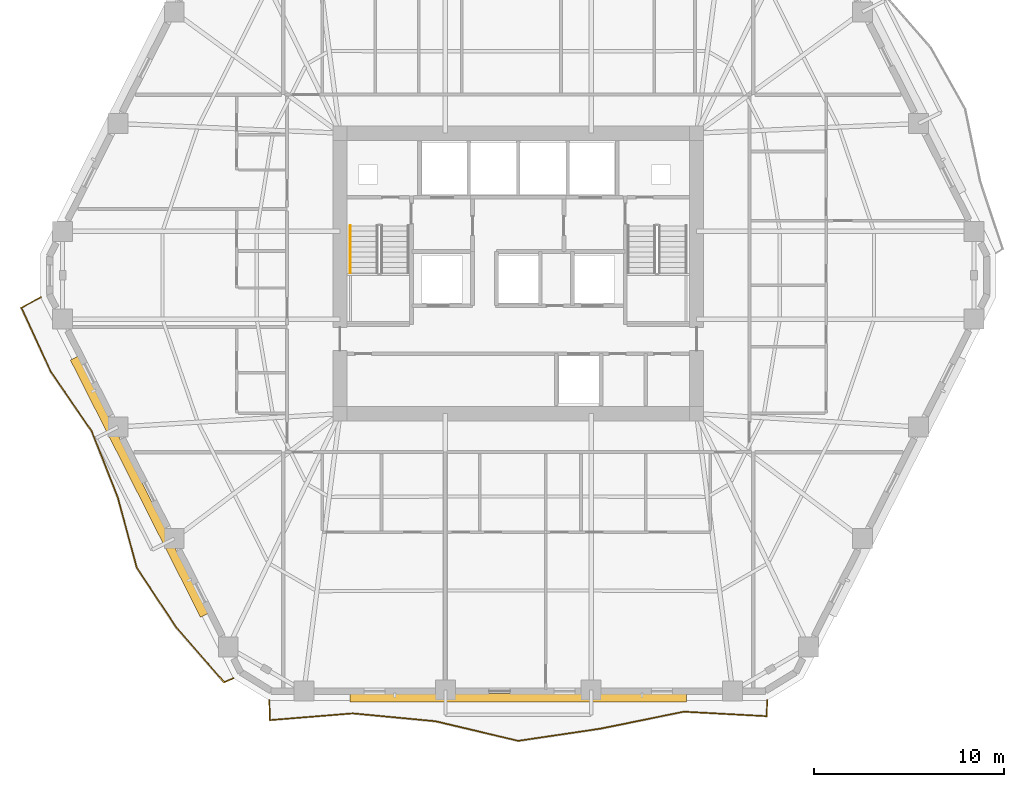
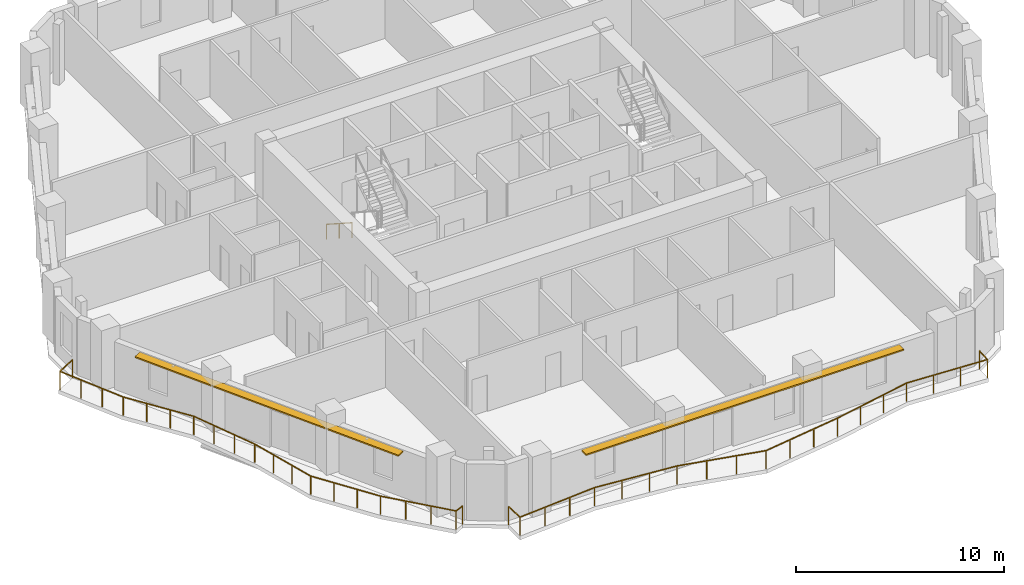
# One storey, part 10 of 12: 3 railings, 2 shading devices.
"""IFC4 building model written with IfcOpenShell, lengths in metres."""

from ifc_helpers import new_model, si_unit, direction, frame, origin, origin_2d, place, context, subcontext, project, spatial, rectangle, extrude, material, layer, layer_set, type_object, element, save


model = new_model("IFC4")

# Units and contexts
model_context = context("Model", 3, precision=1e-05, world=origin(), true_north=direction((0.0, 1.0)))
body_context = subcontext(model_context, "Body", "Model", "MODEL_VIEW")
ifc_project = project(units=[si_unit("LENGTHUNIT", "METRE"), si_unit("AREAUNIT", "SQUARE_METRE"), si_unit("VOLUMEUNIT", "CUBIC_METRE"), si_unit("PLANEANGLEUNIT", "RADIAN"), si_unit("MASSUNIT", "GRAM", prefix="KILO")], contexts=[model_context])

# Site, building, storey
site_placement = place(None, origin())
site = spatial("IfcSite", under=ifc_project, at=site_placement, CompositionType="ELEMENT")
building_placement = place(site_placement, origin())
building = spatial("IfcBuilding", under=site, at=building_placement, Name="Cinnabar Lancet Tower", CompositionType="ELEMENT")
storey_placement = place(building_placement, frame((0.0, 0.0, 112.60009765625)))
storey = spatial("IfcBuildingStorey", under=building, at=storey_placement, Name="L29", CompositionType="ELEMENT", Elevation=112.60009765625)

# Railings
ifc_material_1 = material(Name="Laminated safety glass and bronze stainless steel balustrade", Category="steel")
railing_type_1 = type_object("IfcRailingType", Name="ENV-RLG-BAL-1100", PredefinedType="BALUSTRADE", material=ifc_material_1)
railing_1_placement = place(storey_placement, frame((19.30810546875, 3.449951171875, 0.0)))
element("IfcRailing", 1, at=railing_1_placement, inside=storey, type_object=railing_type_1, Name="L29 Face 1 Wave Balcony Balustrade", PredefinedType="BALUSTRADE", context=body_context, shape_type="SweptSolid", body=[
    extrude(rectangle(XDim=0.048095703125, YDim=0.048095703125, at=origin_2d()), frame((0.0, 0.0, 1.076171875), z_axis=(0.032642369907, -0.99946709585, 0.0), x_axis=(0.99946709585, 0.032642369907, 0.0)), (0.0, 0.0, 1.0), 1.03955078125),
    extrude(rectangle(XDim=0.048095703125, YDim=0.048095703125, at=origin_2d()), frame((0.033935546875, -1.0390625, 1.076171875), z_axis=(0.996689884477, 0.081297442646, 0.0), x_axis=(-0.081297442646, 0.996689884477, 0.0)), (0.0, 0.0, 1.0), 4.369384765625),
    extrude(rectangle(XDim=0.048095703125, YDim=0.048095703125, at=origin_2d()), frame((4.388916015625, -0.683837890625, 1.076171875), z_axis=(0.995525541996, -0.094492831654, 0.0), x_axis=(0.094492831654, 0.995525541996, 0.0)), (0.0, 0.0, 1.0), 4.37158203125),
    extrude(rectangle(XDim=0.048095703125, YDim=0.048095703125, at=origin_2d()), frame((8.740966796875, -1.096923828125, 1.076171875), z_axis=(0.973150819133, -0.23016838015, 0.0), x_axis=(0.23016838015, 0.973150819133, 0.0)), (0.0, 0.0, 1.0), 4.470947265625),
    extrude(rectangle(XDim=0.048095703125, YDim=0.048095703125, at=origin_2d()), frame((13.091796875, -2.1259765625, 1.076171875), z_axis=(0.989189749691, 0.146641191712, 0.0), x_axis=(-0.146641191712, 0.989189749691, 0.0)), (0.0, 0.0, 1.0), 4.398681640625),
    extrude(rectangle(XDim=0.048095703125, YDim=0.048095703125, at=origin_2d()), frame((17.44287109375, -1.48095703125, 1.076171875), z_axis=(0.979857431249, 0.199698308523, 0.0), x_axis=(-0.199698308523, 0.979857431249, 0.0)), (0.0, 0.0, 1.0), 4.44140625),
    extrude(rectangle(XDim=0.048095703125, YDim=0.048095703125, at=origin_2d()), frame((21.794921875, -0.593994140625, 1.076171875), z_axis=(0.998509557811, -0.054577128538, 0.0), x_axis=(0.054577128538, 0.998509557811, 0.0)), (0.0, 0.0, 1.0), 4.361572265625),
    extrude(rectangle(XDim=0.048095703125, YDim=0.048095703125, at=origin_2d()), frame((26.14990234375, -0.83203125, 1.076171875), z_axis=(0.040752502573, 0.999169271712, 0.0), x_axis=(-0.999169271712, 0.040752502573, 0.0)), (0.0, 0.0, 1.0), 0.832763671875),
    extrude(rectangle(XDim=0.0419921875, YDim=0.0419921875, at=origin_2d()), origin(), (0.0, 0.0, 1.0), 1.052001953125),
    extrude(rectangle(XDim=0.0419921875, YDim=0.0419921875, at=origin_2d()), frame((0.033935546875, -1.0390625, 0.0)), (0.0, 0.0, 1.0), 1.052001953125),
    extrude(rectangle(XDim=0.0419921875, YDim=0.0419921875, at=origin_2d()), frame((1.485595703125, -0.920654296875, 0.0)), (0.0, 0.0, 1.0), 1.052001953125),
    extrude(rectangle(XDim=0.0419921875, YDim=0.0419921875, at=origin_2d()), frame((2.937255859375, -0.80224609375, 0.0)), (0.0, 0.0, 1.0), 1.052001953125),
    extrude(rectangle(XDim=0.0419921875, YDim=0.0419921875, at=origin_2d()), frame((4.388916015625, -0.683837890625, 0.0)), (0.0, 0.0, 1.0), 1.052001953125),
    extrude(rectangle(XDim=0.0419921875, YDim=0.0419921875, at=origin_2d()), frame((5.839599609375, -0.821533203125, 0.0)), (0.0, 0.0, 1.0), 1.052001953125),
    extrude(rectangle(XDim=0.0419921875, YDim=0.0419921875, at=origin_2d()), frame((7.290283203125, -0.959228515625, 0.0)), (0.0, 0.0, 1.0), 1.052001953125),
    extrude(rectangle(XDim=0.0419921875, YDim=0.0419921875, at=origin_2d()), frame((8.740966796875, -1.096923828125, 0.0)), (0.0, 0.0, 1.0), 1.052001953125),
    extrude(rectangle(XDim=0.0419921875, YDim=0.0419921875, at=origin_2d()), frame((10.191162109375, -1.43994140625, 0.0)), (0.0, 0.0, 1.0), 1.052001953125),
    extrude(rectangle(XDim=0.0419921875, YDim=0.0419921875, at=origin_2d()), frame((11.6416015625, -1.782958984375, 0.0)), (0.0, 0.0, 1.0), 1.052001953125),
    extrude(rectangle(XDim=0.0419921875, YDim=0.0419921875, at=origin_2d()), frame((13.091796875, -2.1259765625, 0.0)), (0.0, 0.0, 1.0), 1.052001953125),
    extrude(rectangle(XDim=0.0419921875, YDim=0.0419921875, at=origin_2d()), frame((14.542236328125, -1.910888671875, 0.0)), (0.0, 0.0, 1.0), 1.052001953125),
    extrude(rectangle(XDim=0.0419921875, YDim=0.0419921875, at=origin_2d()), frame((15.992431640625, -1.696044921875, 0.0)), (0.0, 0.0, 1.0), 1.052001953125),
    extrude(rectangle(XDim=0.0419921875, YDim=0.0419921875, at=origin_2d()), frame((17.44287109375, -1.48095703125, 0.0)), (0.0, 0.0, 1.0), 1.052001953125),
    extrude(rectangle(XDim=0.0419921875, YDim=0.0419921875, at=origin_2d()), frame((18.8935546875, -1.185302734375, 0.0)), (0.0, 0.0, 1.0), 1.052001953125),
    extrude(rectangle(XDim=0.0419921875, YDim=0.0419921875, at=origin_2d()), frame((20.34423828125, -0.8896484375, 0.0)), (0.0, 0.0, 1.0), 1.052001953125),
    extrude(rectangle(XDim=0.0419921875, YDim=0.0419921875, at=origin_2d()), frame((21.794921875, -0.593994140625, 0.0)), (0.0, 0.0, 1.0), 1.052001953125),
    extrude(rectangle(XDim=0.0419921875, YDim=0.0419921875, at=origin_2d()), frame((23.24658203125, -0.67333984375, 0.0)), (0.0, 0.0, 1.0), 1.052001953125),
    extrude(rectangle(XDim=0.0419921875, YDim=0.0419921875, at=origin_2d()), frame((24.6982421875, -0.752685546875, 0.0)), (0.0, 0.0, 1.0), 1.052001953125),
    extrude(rectangle(XDim=0.0419921875, YDim=0.0419921875, at=origin_2d()), frame((26.14990234375, -0.83203125, 0.0)), (0.0, 0.0, 1.0), 1.052001953125),
    extrude(rectangle(XDim=0.0419921875, YDim=0.0419921875, at=origin_2d()), frame((26.183837890625, 0.0, 0.0)), (0.0, 0.0, 1.0), 1.052001953125),
])
railing_2_placement = place(storey_placement, frame((7.287109375, 24.639892578125, 0.0)))
element("IfcRailing", 2, at=railing_2_placement, inside=storey, type_object=railing_type_1, Name="L29 Face 6 Wave Balcony Balustrade", PredefinedType="BALUSTRADE", context=body_context, shape_type="SweptSolid", body=[
    extrude(rectangle(XDim=0.048095703125, YDim=0.048095703125, at=origin_2d()), frame((0.0, 0.0, 1.076171875), z_axis=(-0.881624785606, -0.471950990469, 0.0), x_axis=(0.471950990469, -0.881624785606, 0.0)), (0.0, 0.0, 1.0), 1.152587890625),
    extrude(rectangle(XDim=0.048095703125, YDim=0.048095703125, at=origin_2d()), frame((-1.01611328125, -0.5439453125, 1.076171875), z_axis=(0.418726543013, -0.9081123731, 0.0), x_axis=(0.9081123731, 0.418726543013, 0.0)), (0.0, 0.0, 1.0), 3.735107421875),
    extrude(rectangle(XDim=0.048095703125, YDim=0.048095703125, at=origin_2d()), frame((0.5478515625, -3.935791015625, 1.076171875), z_axis=(0.566952475045, -0.823750502907, 0.0), x_axis=(0.823750502907, 0.566952475045, 0.0)), (0.0, 0.0, 1.0), 3.765869140625),
    extrude(rectangle(XDim=0.048095703125, YDim=0.048095703125, at=origin_2d()), frame((2.682861328125, -7.037841796875, 1.076171875), z_axis=(0.366779228849, -0.93030801205, 0.0), x_axis=(0.93030801205, 0.366779228849, 0.0)), (0.0, 0.0, 1.0), 3.74609375),
    extrude(rectangle(XDim=0.048095703125, YDim=0.048095703125, at=origin_2d()), frame((4.056884765625, -10.52294921875, 1.076171875), z_axis=(0.260568514377, -0.965455358531, 0.0), x_axis=(0.965455358531, 0.260568514377, 0.0)), (0.0, 0.0, 1.0), 3.810546875),
    extrude(rectangle(XDim=0.048095703125, YDim=0.048095703125, at=origin_2d()), frame((5.0498046875, -14.201904296875, 1.076171875), z_axis=(0.550357646773, -0.834929015329, 0.0), x_axis=(0.834929015329, 0.550357646773, 0.0)), (0.0, 0.0, 1.0), 3.756103515625),
    extrude(rectangle(XDim=0.048095703125, YDim=0.048095703125, at=origin_2d()), frame((7.116943359375, -17.337890625, 1.076171875), z_axis=(0.657992795023, -0.753024223845, 0.0), x_axis=(0.753024223845, 0.657992795023, 0.0)), (0.0, 0.0, 1.0), 3.85107421875),
    extrude(rectangle(XDim=0.048095703125, YDim=0.048095703125, at=origin_2d()), frame((9.65087890625, -20.23779296875, 1.076171875), z_axis=(0.918422997553, 0.395599794699, 0.0), x_axis=(-0.395599794699, 0.918422997553, 0.0)), (0.0, 0.0, 1.0), 0.52587890625),
    extrude(rectangle(XDim=0.0419921875, YDim=0.0419921875, at=origin_2d()), origin(), (0.0, 0.0, 1.0), 1.052001953125),
    extrude(rectangle(XDim=0.0419921875, YDim=0.0419921875, at=origin_2d()), frame((-1.01611328125, -0.5439453125, 0.0)), (0.0, 0.0, 1.0), 1.052001953125),
    extrude(rectangle(XDim=0.0419921875, YDim=0.0419921875, at=origin_2d()), frame((-0.494873046875, -1.674560546875, 0.0)), (0.0, 0.0, 1.0), 1.052001953125),
    extrude(rectangle(XDim=0.0419921875, YDim=0.0419921875, at=origin_2d()), frame((0.026611328125, -2.80517578125, 0.0)), (0.0, 0.0, 1.0), 1.052001953125),
    extrude(rectangle(XDim=0.0419921875, YDim=0.0419921875, at=origin_2d()), frame((0.5478515625, -3.935791015625, 0.0)), (0.0, 0.0, 1.0), 1.052001953125),
    extrude(rectangle(XDim=0.0419921875, YDim=0.0419921875, at=origin_2d()), frame((1.259521484375, -4.9697265625, 0.0)), (0.0, 0.0, 1.0), 1.052001953125),
    extrude(rectangle(XDim=0.0419921875, YDim=0.0419921875, at=origin_2d()), frame((1.97119140625, -6.00390625, 0.0)), (0.0, 0.0, 1.0), 1.052001953125),
    extrude(rectangle(XDim=0.0419921875, YDim=0.0419921875, at=origin_2d()), frame((2.682861328125, -7.037841796875, 0.0)), (0.0, 0.0, 1.0), 1.052001953125),
    extrude(rectangle(XDim=0.0419921875, YDim=0.0419921875, at=origin_2d()), frame((3.140869140625, -8.199462890625, 0.0)), (0.0, 0.0, 1.0), 1.052001953125),
    extrude(rectangle(XDim=0.0419921875, YDim=0.0419921875, at=origin_2d()), frame((3.598876953125, -9.361328125, 0.0)), (0.0, 0.0, 1.0), 1.052001953125),
    extrude(rectangle(XDim=0.0419921875, YDim=0.0419921875, at=origin_2d()), frame((4.056884765625, -10.52294921875, 0.0)), (0.0, 0.0, 1.0), 1.052001953125),
    extrude(rectangle(XDim=0.0419921875, YDim=0.0419921875, at=origin_2d()), frame((4.387939453125, -11.749267578125, 0.0)), (0.0, 0.0, 1.0), 1.052001953125),
    extrude(rectangle(XDim=0.0419921875, YDim=0.0419921875, at=origin_2d()), frame((4.71875, -12.9755859375, 0.0)), (0.0, 0.0, 1.0), 1.052001953125),
    extrude(rectangle(XDim=0.0419921875, YDim=0.0419921875, at=origin_2d()), frame((5.0498046875, -14.201904296875, 0.0)), (0.0, 0.0, 1.0), 1.052001953125),
    extrude(rectangle(XDim=0.0419921875, YDim=0.0419921875, at=origin_2d()), frame((5.73876953125, -15.247314453125, 0.0)), (0.0, 0.0, 1.0), 1.052001953125),
    extrude(rectangle(XDim=0.0419921875, YDim=0.0419921875, at=origin_2d()), frame((6.427978515625, -16.29248046875, 0.0)), (0.0, 0.0, 1.0), 1.052001953125),
    extrude(rectangle(XDim=0.0419921875, YDim=0.0419921875, at=origin_2d()), frame((7.116943359375, -17.337890625, 0.0)), (0.0, 0.0, 1.0), 1.052001953125),
    extrude(rectangle(XDim=0.0419921875, YDim=0.0419921875, at=origin_2d()), frame((7.961669921875, -18.304443359375, 0.0)), (0.0, 0.0, 1.0), 1.052001953125),
    extrude(rectangle(XDim=0.0419921875, YDim=0.0419921875, at=origin_2d()), frame((8.80615234375, -19.271240234375, 0.0)), (0.0, 0.0, 1.0), 1.052001953125),
    extrude(rectangle(XDim=0.0419921875, YDim=0.0419921875, at=origin_2d()), frame((9.65087890625, -20.23779296875, 0.0)), (0.0, 0.0, 1.0), 1.052001953125),
    extrude(rectangle(XDim=0.0419921875, YDim=0.0419921875, at=origin_2d()), frame((10.1337890625, -20.02978515625, 0.0)), (0.0, 0.0, 1.0), 1.052001953125),
])

# Shading devices
ifc_material_2 = material(Name="Pale limestone architectural aluminium sunshade", Category="masonry")
ifc_layer = layer(ifc_material_2, 0.080078125)
ifc_layer_set = layer_set([ifc_layer], Name="Pale limestone architectural aluminium sunshade")
shading_device_type = type_object("IfcShadingDeviceType", Name="ENV-SHD-LVR-450", PredefinedType="JALOUSIE", material=ifc_layer_set)
shading_device_1_placement = place(storey_placement, frame((32.39990234375, 3.580078125, 2.639892578125), z_axis=(0.0, 0.0, 1.0), x_axis=(1.0, 0.0, 0.0)))
element("IfcShadingDevice", 3, at=shading_device_1_placement, inside=storey, type_object=shading_device_type, Name="L29 Face 1 Horizontal Sunshade Canopy", PredefinedType="JALOUSIE", context=body_context, shape_type="SweptSolid", body=[
    extrude(rectangle(XDim=17.68310546875, YDim=0.449951171875, at=origin_2d()), origin(), (0.0, 0.0, 1.0), 0.080078125),
])
shading_device_2_placement = place(storey_placement, frame((12.471923828125, 14.680908203125, 2.639892578125), z_axis=(0.0, 0.0, 1.0), x_axis=(0.451453853408, -0.892294468347, 0.0)))
element("IfcShadingDevice", 4, at=shading_device_2_placement, inside=storey, type_object=shading_device_type, Name="L29 Face 6 Horizontal Sunshade Canopy", PredefinedType="JALOUSIE", context=body_context, shape_type="SweptSolid", body=[
    extrude(rectangle(XDim=15.156982421875, YDim=0.449951171875, at=origin_2d()), origin(), (0.0, 0.0, 1.0), 0.080078125),
])

# Railing
ifc_material_3 = material(Name="Brushed stainless steel handrail", Category="steel")
railing_type_2 = type_object("IfcRailingType", Name="HANDRAIL-STAIR", PredefinedType="HANDRAIL", material=ifc_material_3)
railing_3_placement = place(storey_placement, frame((23.574951171875, 28.39990234375, 0.177490234375)))
element("IfcRailing", 5, at=railing_3_placement, inside=storey, type_object=railing_type_2, Name="L29 ST-1 stair handrail 1", PredefinedType="HANDRAIL", context=body_context, shape_type="SweptSolid", body=[
    extrude(rectangle(XDim=0.048095703125, YDim=0.048095703125, at=origin_2d()), frame((0.0, 0.0, 0.8759765625), z_axis=(0.0, -0.840183358697, 0.542302428327), x_axis=(1.0, 0.0, 0.0)), (0.0, 0.0, 1.0), 2.945556640625),
    extrude(rectangle(XDim=0.0419921875, YDim=0.0419921875, at=origin_2d()), origin(), (0.0, 0.0, 1.0), 0.851806640625),
    extrude(rectangle(XDim=0.0419921875, YDim=0.0419921875, at=origin_2d()), frame((0.0, -1.2373046875, 0.798828125)), (0.0, 0.0, 1.0), 0.851806640625),
    extrude(rectangle(XDim=0.0419921875, YDim=0.0419921875, at=origin_2d()), frame((0.0, -2.474853515625, 1.597412109375)), (0.0, 0.0, 1.0), 0.851806640625),
])

save(model, "model.ifc")
